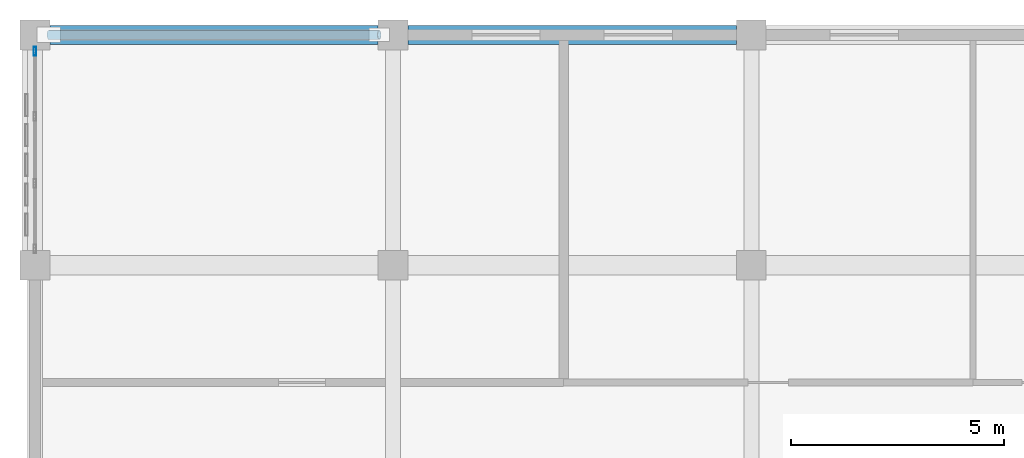
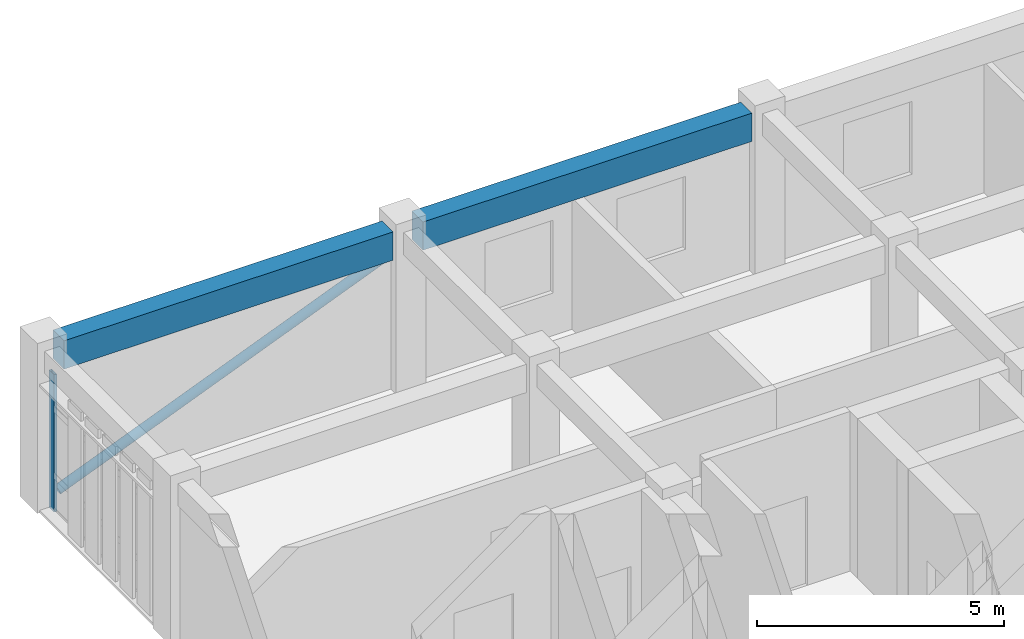
# One storey, part 14 of 23: 2 beams, 2 members, 1 element without a shape of its own.
"""IFC4 building model written with IfcOpenShell, lengths in metres."""

from ifc_helpers import new_model, si_unit, direction, frame, origin, origin_2d, place, context, subcontext, project, spatial, rectangle, hollow_rectangle, hollow_circle, extrude, material, layer, layer_set, material_profile, profile_set, type_object, element, aggregate, save


model = new_model("IFC4")

# Units and contexts
model_context = context("Model", 3, precision=1e-05, world=origin(), true_north=direction((0.0, 1.0)))
body_context = subcontext(model_context, "Body", "Model", "MODEL_VIEW")
ifc_project = project(units=[si_unit("LENGTHUNIT", "METRE"), si_unit("AREAUNIT", "SQUARE_METRE"), si_unit("VOLUMEUNIT", "CUBIC_METRE"), si_unit("PLANEANGLEUNIT", "RADIAN"), si_unit("MASSUNIT", "GRAM", prefix="KILO")], contexts=[model_context])

# Site, building, storey
site_placement = place(None, origin())
site = spatial("IfcSite", under=ifc_project, at=site_placement, CompositionType="ELEMENT")
building_placement = place(site_placement, origin())
building = spatial("IfcBuilding", under=site, at=building_placement, Name="Krzemoval Escarpment Law Courts", CompositionType="ELEMENT")
storey_placement = place(building_placement, frame((0.0, 0.0, 33.60009765625)))
storey = spatial("IfcBuildingStorey", under=building, at=storey_placement, Name="L07", CompositionType="ELEMENT", Elevation=33.60009765625)

# Beams
ifc_material_1 = material(Name="Concrete C40/50", Category="concrete")
ifc_material_profile_1 = material_profile(ifc_material_1, rectangle(XDim=0.449951171875, YDim=0.699951171875, at=origin_2d()), Name="RCB 450x700")
ifc_profile_set_1 = profile_set([ifc_material_profile_1], Name="Concrete C40/50")
beam_type = type_object("IfcBeamType", Name="BM-RC-450x700", PredefinedType="BEAM", material=ifc_profile_set_1)
for number, where, z_axis, x_axis, name in (
    (1, (126.35009765625, 118.800048828125, 3.599853515625), (1.0, 0.0, 0.0), (0.0, 1.0, 0.0), "Beam FG-L07-2709"),
    (2, (134.75, 118.800048828125, 3.599853515625), (1.0, 0.0, 0.0), (0.0, 1.0, 0.0), "Beam FG-L07-2710"),
):
    element("IfcBeam", number, at=place(storey_placement, frame(where, z_axis=z_axis, x_axis=x_axis)), inside=storey, type_object=beam_type, Name=name, PredefinedType="BEAM", context=body_context, shape_type="SweptSolid", body=[
        extrude(rectangle(XDim=0.449951171875, YDim=0.699951171875, at=origin_2d()), origin(), (0.0, 0.0, 1.0), 7.699951171875),
    ])

# Curtain wall, member
ifc_material_2 = material(Name="Aluminium 6063-T6", Category="aluminium")
ifc_layer = layer(ifc_material_2, 0.219970703125)
ifc_layer_set = layer_set([ifc_layer], Name="Aluminium 6063-T6")
curtain_wall_type = type_object("IfcCurtainWallType", Name="CW-CHMB-4200", PredefinedType="USERDEFINED", material=ifc_layer_set)
curtain_wall_placement = place(storey_placement, origin())
curtain_wall = element("IfcCurtainWall", 3, at=curtain_wall_placement, inside=storey, type_object=curtain_wall_type, Name="Unitised Curtain Wall FCW-L07-157", ObjectType="UNITISED_CURTAIN_WALL", PredefinedType="USERDEFINED")
ifc_material_3 = material(Name="Aluminium 6063-T6", Category="aluminium")
ifc_material_profile_2 = material_profile(ifc_material_3, hollow_rectangle(XDim=0.06494140625, YDim=0.199951171875, WallThickness=0.00439453125, at=origin_2d()), Name="ALU M65x200")
ifc_profile_set_2 = profile_set([ifc_material_profile_2], Name="Aluminium 6063-T6")
member_type_1 = type_object("IfcMemberType", Name="CWM-65x200", PredefinedType="MULLION", material=ifc_profile_set_2)
member_1_placement = place(storey_placement, frame((126.0, 118.41748046875, 0.0), z_axis=(0.0, 0.0, 1.0), x_axis=(-1.0, 0.0, 0.0)))
member_1 = element("IfcMember", 4, at=member_1_placement, type_object=member_type_1, Name="FCW-L07-157 mullion 4", PredefinedType="MULLION", context=body_context, shape_type="SweptSolid", body=[
    extrude(hollow_rectangle(XDim=0.06494140625, YDim=0.199951171875, WallThickness=0.00439453125, at=origin_2d()), origin(), (0.0, 0.0, 1.0), 3.39990234375),
])
aggregate(curtain_wall, [member_1])

# Member
ifc_material_4 = material(Name="Steel S355", Category="steel")
ifc_material_profile_3 = material_profile(ifc_material_4, hollow_circle(Radius=0.109619140625, WallThickness=0.010009765625, at=origin_2d()), Name="CHS 219.1x10")
ifc_profile_set_3 = profile_set([ifc_material_profile_3], Name="Steel S355")
member_type_2 = type_object("IfcMemberType", Name="MBR-BRC-CHS219", PredefinedType="BRACE", material=ifc_profile_set_3)
member_2_placement = place(storey_placement, frame((126.324951171875, 118.800048828125, 0.139892578125), z_axis=(0.927228573803, 0.0, 0.374495890396), x_axis=(0.0, 1.0, 0.0)))
element("IfcMember", 5, at=member_2_placement, inside=storey, type_object=member_type_2, Name="Lateral Diagonal Brace BR-0257", PredefinedType="BRACE", context=body_context, shape_type="SweptSolid", body=[
    extrude(hollow_circle(Radius=0.109619140625, WallThickness=0.010009765625, at=origin_2d()), origin(), (0.0, 0.0, 1.0), 8.358154296875),
])

save(model, "model.ifc")
